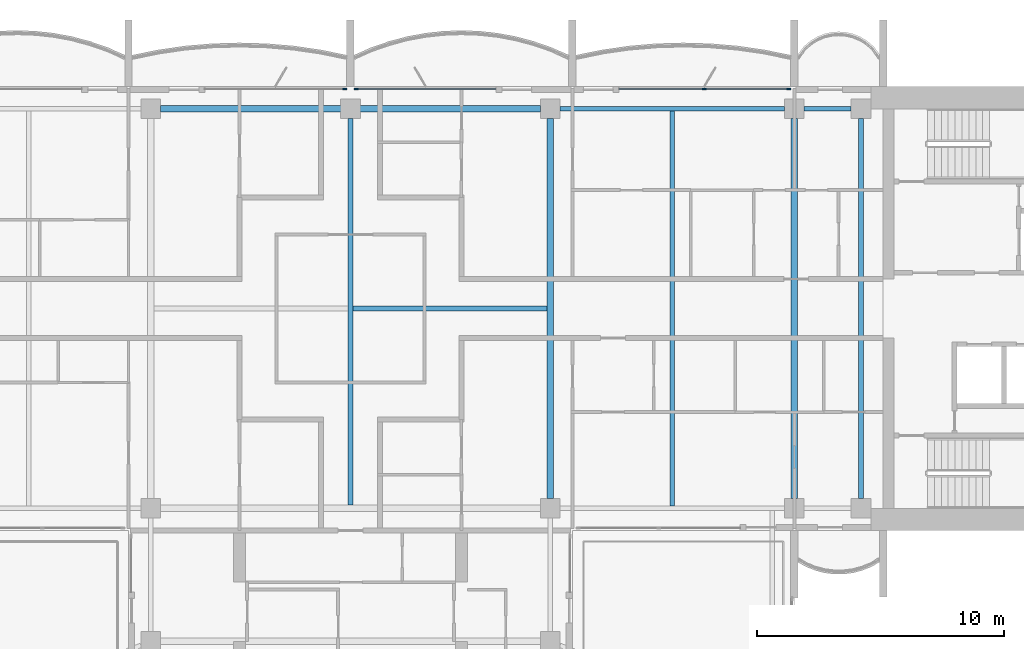
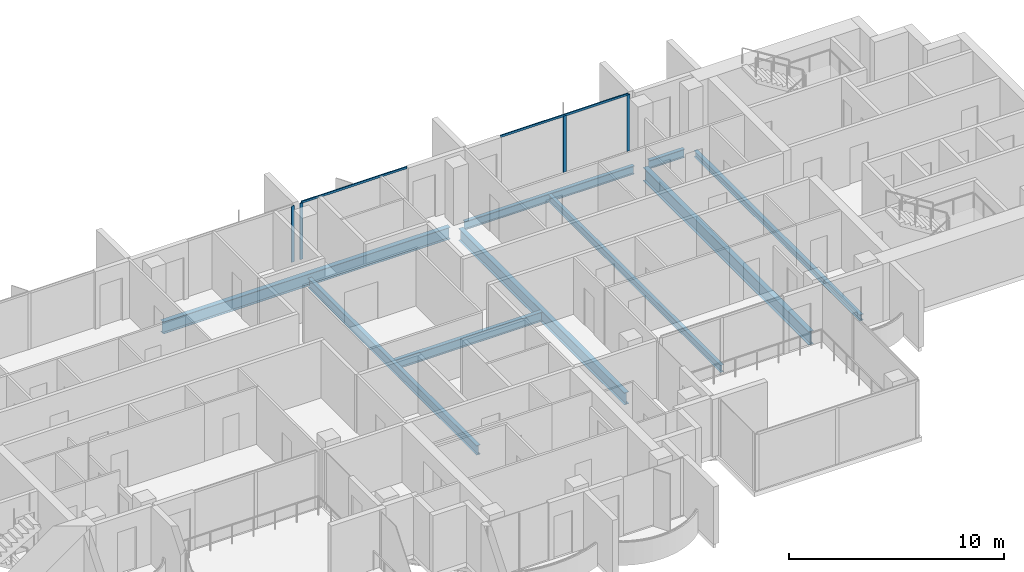
# One storey, part 4 of 16: 9 beams, 6 members, 3 elements without a shape of their own.
"""IFC4 building model written with IfcOpenShell, lengths in metres."""

from ifc_helpers import new_model, si_unit, direction, frame, origin, origin_2d, place, context, subcontext, project, spatial, rectangle, i_section, extrude, material, material_profile, profile_set, type_object, element, aggregate, save


model = new_model("IFC4")

# Units and contexts
model_context = context("Model", 3, precision=1e-05, world=origin(), true_north=direction((0.0, 1.0)))
body_context = subcontext(model_context, "Body", "Model", "MODEL_VIEW")
ifc_project = project(units=[si_unit("LENGTHUNIT", "METRE"), si_unit("AREAUNIT", "SQUARE_METRE"), si_unit("VOLUMEUNIT", "CUBIC_METRE"), si_unit("PLANEANGLEUNIT", "RADIAN"), si_unit("MASSUNIT", "GRAM", prefix="KILO")], contexts=[model_context])

# Site, building, storey
site_placement = place(None, origin())
site = spatial("IfcSite", under=ifc_project, at=site_placement, CompositionType="ELEMENT")
building_placement = place(site_placement, origin())
building = spatial("IfcBuilding", under=site, at=building_placement, Name="Perihelion Cross Residences", CompositionType="ELEMENT")
storey_placement = place(building_placement, frame((0.0, 0.0, 267.5)))
storey = spatial("IfcBuildingStorey", under=building, at=storey_placement, Name="L68", CompositionType="ELEMENT", Elevation=267.5)

# Curtain wall, members
ifc_material_1 = material(Name="Bronze anodised aluminium, tinted glazing", Category="aluminium")
curtain_wall_type = type_object("IfcCurtainWallType", Name="CW1", PredefinedType="NOTDEFINED", material=ifc_material_1)
curtain_wall_1_placement = place(storey_placement, origin())
curtain_wall_1 = element("IfcCurtainWall", 1, at=curtain_wall_1_placement, inside=storey, type_object=curtain_wall_type, Name="Curtain wall CW1 L68 east side north bay 2", PredefinedType="NOTDEFINED")
ifc_material_2 = material(Name="Bronze anodised aluminium", Category="aluminium")
ifc_material_profile_1 = material_profile(ifc_material_2, rectangle(XDim=0.06005859375, YDim=0.159912109375, at=origin_2d()), Name="CW1 mullion")
ifc_profile_set_1 = profile_set([ifc_material_profile_1], Name="Bronze anodised aluminium")
member_type_1 = type_object("IfcMemberType", Name="CW1 mullion", PredefinedType="MULLION", material=ifc_profile_set_1)
member_1_placement = place(storey_placement, frame((17.77001953125, 8.89990234375, 0.0), z_axis=(0.0, 0.0, 1.0), x_axis=(0.0, -1.0, 0.0)))
member_1 = element("IfcMember", 2, at=member_1_placement, type_object=member_type_1, Name="CW1 mullion 1", PredefinedType="MULLION", context=body_context, shape_type="SweptSolid", body=[
    extrude(rectangle(XDim=0.06005859375, YDim=0.159912109375, at=origin_2d()), origin(), (0.0, 0.0, 1.0), 3.18994140625),
])
member_2_placement = place(storey_placement, frame((14.35009765625, 8.89990234375, 0.0), z_axis=(0.0, 0.0, 1.0), x_axis=(0.0, -1.0, 0.0)))
member_2 = element("IfcMember", 3, at=member_2_placement, type_object=member_type_1, Name="CW1 mullion 2", PredefinedType="MULLION", context=body_context, shape_type="SweptSolid", body=[
    extrude(rectangle(XDim=0.06005859375, YDim=0.159912109375, at=origin_2d()), origin(), (0.0, 0.0, 1.0), 3.18994140625),
])

# Curtain wall, member
curtain_wall_2_placement = place(storey_placement, origin())
curtain_wall_2 = element("IfcCurtainWall", 4, at=curtain_wall_2_placement, inside=storey, type_object=curtain_wall_type, Name="Curtain wall CW1 L68 north side east bay 1", PredefinedType="NOTDEFINED")
member_3_placement = place(storey_placement, frame((0.22998046875, 8.89990234375, 0.0), z_axis=(0.0, 0.0, 1.0), x_axis=(0.0, -1.0, 0.0)))
member_3 = element("IfcMember", 5, at=member_3_placement, type_object=member_type_1, Name="CW1 mullion 2", PredefinedType="MULLION", context=body_context, shape_type="SweptSolid", body=[
    extrude(rectangle(XDim=0.06005859375, YDim=0.159912109375, at=origin_2d()), origin(), (0.0, 0.0, 1.0), 3.18994140625),
])

curtain_wall_3_placement = place(storey_placement, origin())
curtain_wall_3 = element("IfcCurtainWall", 6, at=curtain_wall_3_placement, inside=storey, type_object=curtain_wall_type, Name="Curtain wall CW1 L68 north side east bay 2", PredefinedType="NOTDEFINED")
member_4_placement = place(storey_placement, frame((-0.22998046875, 8.89990234375, 0.0), z_axis=(0.0, 0.0, 1.0), x_axis=(0.0, -1.0, 0.0)))
member_4 = element("IfcMember", 7, at=member_4_placement, type_object=member_type_1, Name="CW1 mullion 1", PredefinedType="MULLION", context=body_context, shape_type="SweptSolid", body=[
    extrude(rectangle(XDim=0.06005859375, YDim=0.159912109375, at=origin_2d()), origin(), (0.0, 0.0, 1.0), 3.18994140625),
])
aggregate(curtain_wall_3, [member_4])

# Member
ifc_material_3 = material(Name="Bronze anodised aluminium", Category="aluminium")
ifc_material_profile_2 = material_profile(ifc_material_3, rectangle(XDim=0.06005859375, YDim=0.1201171875, at=origin_2d()), Name="CW1 transom")
ifc_profile_set_2 = profile_set([ifc_material_profile_2], Name="Bronze anodised aluminium")
member_type_2 = type_object("IfcMemberType", Name="CW1 transom", PredefinedType="USERDEFINED", material=ifc_profile_set_2)
member_5_placement = place(storey_placement, frame((17.77001953125, 8.89990234375, 3.219970703125), z_axis=(-1.0, 0.0, 0.0), x_axis=(0.0, -1.0, 0.0)))
member_5 = element("IfcMember", 8, at=member_5_placement, type_object=member_type_2, Name="CW1 head transom", ObjectType="TRANSOM", PredefinedType="USERDEFINED", context=body_context, shape_type="SweptSolid", body=[
    extrude(rectangle(XDim=0.06005859375, YDim=0.1201171875, at=origin_2d()), origin(), (0.0, 0.0, 1.0), 6.8701171875),
])

aggregate(curtain_wall_1, [member_1, member_2, member_5])

member_6_placement = place(storey_placement, frame((5.89990234375, 8.89990234375, 3.219970703125), z_axis=(-1.0, 0.0, 0.0), x_axis=(0.0, -1.0, 0.0)))
member_6 = element("IfcMember", 9, at=member_6_placement, type_object=member_type_2, Name="CW1 head transom", ObjectType="TRANSOM", PredefinedType="USERDEFINED", context=body_context, shape_type="SweptSolid", body=[
    extrude(rectangle(XDim=0.06005859375, YDim=0.1201171875, at=origin_2d()), origin(), (0.0, 0.0, 1.0), 5.669921875),
])

aggregate(curtain_wall_2, [member_3, member_6])

# Beams
ifc_material_4 = material(Name="Steel S355", Category="steel")
ifc_material_profile_3 = material_profile(ifc_material_4, i_section(OverallWidth=0.205078125, OverallDepth=0.35302734375, WebThickness=0.009521484375, FlangeThickness=0.016845703125, at=origin_2d()), Name="W360x79")
ifc_profile_set_3 = profile_set([ifc_material_profile_3], Name="Steel S355")
beam_type_1 = type_object("IfcBeamType", Name="Core edge beam W360x79", PredefinedType="BEAM", material=ifc_profile_set_3)
beam_1_placement = place(storey_placement, frame((20.699951171875, -7.699951171875, -0.426513671875), z_axis=(0.0, 1.0, 0.0), x_axis=(-1.0, 0.0, 0.0)))
element("IfcBeam", 10, at=beam_1_placement, inside=storey, type_object=beam_type_1, Name="Core edge beam TB7 L68 no. 2", PredefinedType="BEAM", context=body_context, shape_type="SweptSolid", body=[
    extrude(i_section(OverallWidth=0.205078125, OverallDepth=0.35302734375, WebThickness=0.009521484375, FlangeThickness=0.016845703125, at=origin_2d()), origin(), (0.0, 0.0, 1.0), 15.39990234375),
])
ifc_material_5 = material(Name="Steel S355", Category="steel")
ifc_material_profile_4 = material_profile(ifc_material_5, i_section(OverallWidth=0.194091796875, OverallDepth=0.469970703125, WebThickness=0.0126953125, FlangeThickness=0.0205078125, at=origin_2d()), Name="W460x106")
ifc_profile_set_4 = profile_set([ifc_material_profile_4], Name="Steel S355")
beam_type_2 = type_object("IfcBeamType", Name="Edge beam W460x106", PredefinedType="SPANDREL", material=ifc_profile_set_4)
beam_2_placement = place(storey_placement, frame((20.300048828125, 8.10009765625, -0.485107421875), z_axis=(-1.0, 0.0, 0.0), x_axis=(0.0, -1.0, 0.0)))
element("IfcBeam", 11, at=beam_2_placement, inside=storey, type_object=beam_type_2, Name="Edge beam SB5 L68 no. 10", PredefinedType="SPANDREL", context=body_context, shape_type="SweptSolid", body=[
    extrude(i_section(OverallWidth=0.194091796875, OverallDepth=0.469970703125, WebThickness=0.0126953125, FlangeThickness=0.0205078125, at=origin_2d()), origin(), (0.0, 0.0, 1.0), 1.900146484375),
])
beam_3_placement = place(storey_placement, frame((17.60009765625, 8.10009765625, -0.485107421875), z_axis=(-1.0, 0.0, 0.0), x_axis=(0.0, -1.0, 0.0)))
element("IfcBeam", 12, at=beam_3_placement, inside=storey, type_object=beam_type_2, Name="Edge beam SB5 L68 no. 9", PredefinedType="SPANDREL", context=body_context, shape_type="SweptSolid", body=[
    extrude(i_section(OverallWidth=0.194091796875, OverallDepth=0.469970703125, WebThickness=0.0126953125, FlangeThickness=0.0205078125, at=origin_2d()), origin(), (0.0, 0.0, 1.0), 9.10009765625),
])
ifc_material_6 = material(Name="Steel S355", Category="steel")
ifc_material_profile_5 = material_profile(ifc_material_6, i_section(OverallWidth=0.26708984375, OverallDepth=0.75390625, WebThickness=0.01318359375, FlangeThickness=0.01708984375, at=origin_2d()), Name="W760x147")
ifc_profile_set_5 = profile_set([ifc_material_profile_5], Name="Steel S355")
beam_type_3 = type_object("IfcBeamType", Name="Floor girder W760x147", PredefinedType="BEAM", material=ifc_profile_set_5)
beam_4_placement = place(storey_placement, frame((18.0, -7.699951171875, -0.626953125), z_axis=(0.0, 1.0, 0.0), x_axis=(-1.0, 0.0, 0.0)))
element("IfcBeam", 13, at=beam_4_placement, inside=storey, type_object=beam_type_3, Name="Girder G5 L68 no. 2", PredefinedType="BEAM", context=body_context, shape_type="SweptSolid", body=[
    extrude(i_section(OverallWidth=0.26708984375, OverallDepth=0.75390625, WebThickness=0.01318359375, FlangeThickness=0.01708984375, at=origin_2d()), origin(), (0.0, 0.0, 1.0), 15.39990234375),
])
ifc_material_7 = material(Name="Steel S355", Category="steel")
ifc_material_profile_6 = material_profile(ifc_material_7, i_section(OverallWidth=0.177978515625, OverallDepth=0.406005859375, WebThickness=0.0078125, FlangeThickness=0.0126953125, at=origin_2d()), Name="W410x60")
ifc_profile_set_6 = profile_set([ifc_material_profile_6], Name="Steel S355")
beam_type_4 = type_object("IfcBeamType", Name="Floor joist W410x60", PredefinedType="JOIST", material=ifc_profile_set_6)
beam_5_placement = place(storey_placement, frame((13.050048828125, -8.0029296875, -0.452880859375), z_axis=(0.0, 1.0, 0.0), x_axis=(-1.0, 0.0, 0.0)))
element("IfcBeam", 14, at=beam_5_placement, inside=storey, type_object=beam_type_4, Name="Joist J6 L68 no. 2", PredefinedType="JOIST", context=body_context, shape_type="SweptSolid", body=[
    extrude(i_section(OverallWidth=0.177978515625, OverallDepth=0.406005859375, WebThickness=0.0078125, FlangeThickness=0.0126953125, at=origin_2d()), origin(), (0.0, 0.0, 1.0), 16.005859375),
])
ifc_material_8 = material(Name="Steel S355", Category="steel")
ifc_material_profile_7 = material_profile(ifc_material_8, i_section(OverallWidth=0.208984375, OverallDepth=0.532958984375, WebThickness=0.01025390625, FlangeThickness=0.015625, at=origin_2d()), Name="W530x92")
ifc_profile_set_7 = profile_set([ifc_material_profile_7], Name="Steel S355")
beam_type_5 = type_object("IfcBeamType", Name="Hub cross beam W530x92", PredefinedType="BEAM", material=ifc_profile_set_7)
beam_6_placement = place(storey_placement, frame((0.0, -7.972900390625, -0.5166015625), z_axis=(0.0, 1.0, 0.0), x_axis=(-1.0, 0.0, 0.0)))
element("IfcBeam", 15, at=beam_6_placement, inside=storey, type_object=beam_type_5, Name="Hub cross beam XB5 L68 no. 1", PredefinedType="BEAM", context=body_context, shape_type="SweptSolid", body=[
    extrude(i_section(OverallWidth=0.208984375, OverallDepth=0.532958984375, WebThickness=0.01025390625, FlangeThickness=0.015625, at=origin_2d()), origin(), (0.0, 0.0, 1.0), 15.6728515625),
])
beam_7_placement = place(storey_placement, frame((0.1044921875, 0.0, -0.5166015625), z_axis=(1.0, 0.0, 0.0), x_axis=(0.0, 1.0, 0.0)))
element("IfcBeam", 16, at=beam_7_placement, inside=storey, type_object=beam_type_5, Name="Hub cross beam XB5 L68 2 no. 1", PredefinedType="BEAM", context=body_context, shape_type="SweptSolid", body=[
    extrude(i_section(OverallWidth=0.208984375, OverallDepth=0.532958984375, WebThickness=0.01025390625, FlangeThickness=0.015625, at=origin_2d()), origin(), (0.0, 0.0, 1.0), 7.868408203125),
])
ifc_material_9 = material(Name="Steel S355", Category="steel")
ifc_material_profile_8 = material_profile(ifc_material_9, i_section(OverallWidth=0.25390625, OverallDepth=0.677978515625, WebThickness=0.01171875, FlangeThickness=0.016357421875, at=origin_2d()), Name="W690x125")
ifc_profile_set_8 = profile_set([ifc_material_profile_8], Name="Steel S355")
beam_type_6 = type_object("IfcBeamType", Name="Hub ring girder W690x125", PredefinedType="BEAM", material=ifc_profile_set_8)
for number, where, z_axis, x_axis, name in (
    (17, (8.10009765625, -7.699951171875, -0.589111328125), (0.0, 1.0, 0.0), (-1.0, 0.0, 0.0), "Hub ring girder RG5 L68 no. 3"),
    (18, (7.699951171875, 8.10009765625, -0.589111328125), (-1.0, 0.0, 0.0), (0.0, -1.0, 0.0), "Hub ring girder RG5 L68 no. 4"),
):
    element("IfcBeam", number, at=place(storey_placement, frame(where, z_axis=z_axis, x_axis=x_axis)), inside=storey, type_object=beam_type_6, Name=name, PredefinedType="BEAM", context=body_context, shape_type="SweptSolid", body=[
        extrude(i_section(OverallWidth=0.25390625, OverallDepth=0.677978515625, WebThickness=0.01171875, FlangeThickness=0.016357421875, at=origin_2d()), origin(), (0.0, 0.0, 1.0), 15.39990234375),
    ])

save(model, "model.ifc")
